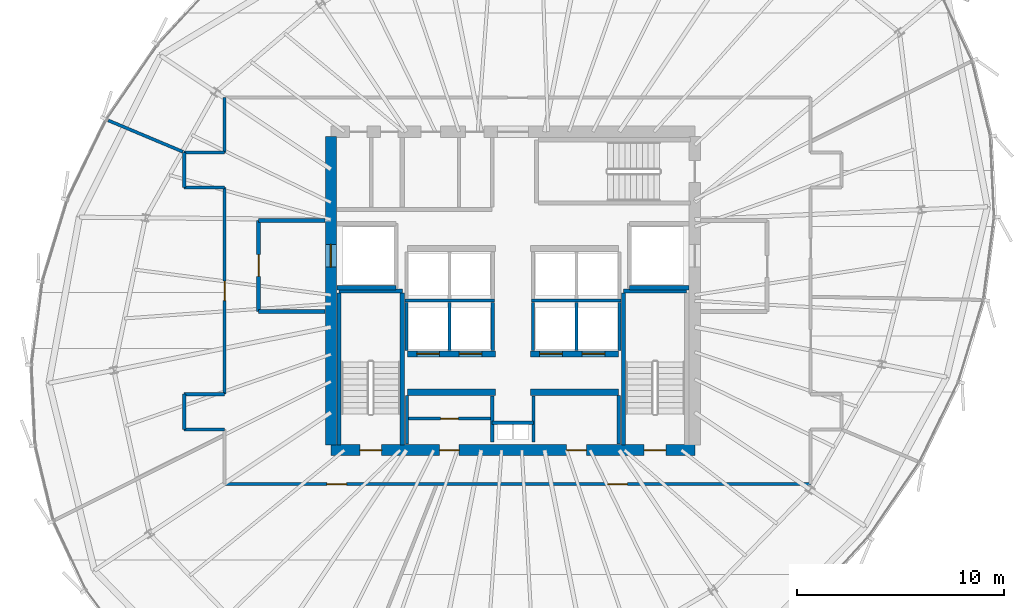
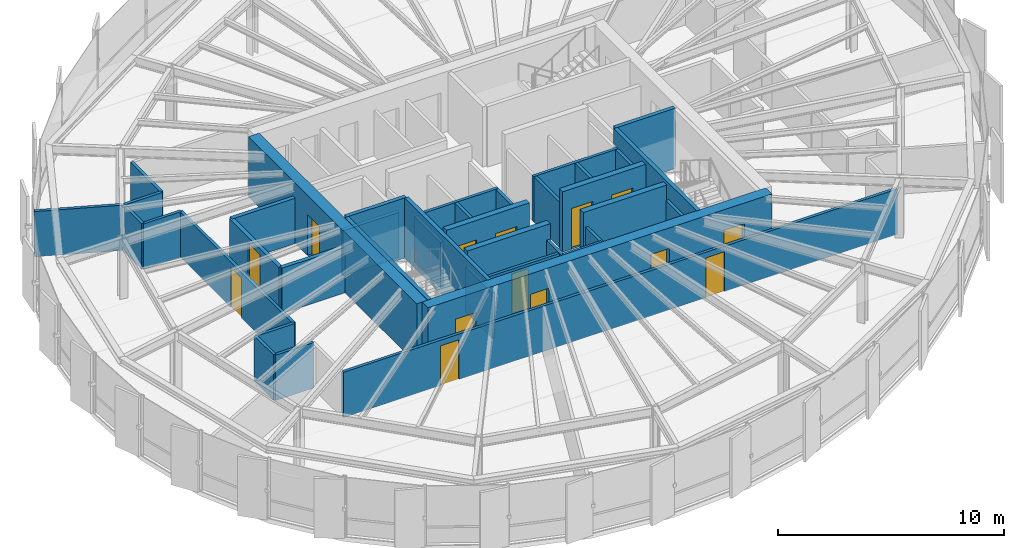
# One storey, part 29 of 34: 40 walls, 14 doors, 14 openings.
"""IFC4 building model written with IfcOpenShell, lengths in metres."""

from ifc_helpers import new_model, si_unit, direction, frame, frame_2d, origin, place, context, subcontext, project, spatial, rectangle, extrude, source, transform, mapped, material, layer, layer_set, type_object, element, fill, save


model = new_model("IFC4")

# Units and contexts
model_context = context("Model", 3, precision=1e-05, world=origin(), true_north=direction((0.0, 1.0)))
body_context = subcontext(model_context, "Body", "Model", "MODEL_VIEW")
ifc_project = project(units=[si_unit("LENGTHUNIT", "METRE"), si_unit("AREAUNIT", "SQUARE_METRE"), si_unit("VOLUMEUNIT", "CUBIC_METRE"), si_unit("PLANEANGLEUNIT", "RADIAN"), si_unit("MASSUNIT", "GRAM", prefix="KILO"), si_unit("THERMODYNAMICTEMPERATUREUNIT", "KELVIN")], contexts=[model_context])

# Site, building, storey
site_placement = place(None, origin())
site = spatial("IfcSite", under=ifc_project, at=site_placement, CompositionType="ELEMENT")
building_placement = place(site_placement, origin())
building = spatial("IfcBuilding", under=site, at=building_placement, Name="Kethvar Cultural Tower", CompositionType="ELEMENT")
storey_placement = place(building_placement, frame((0.0, 0.0, 207.89990234375)))
storey = spatial("IfcBuildingStorey", under=building, at=storey_placement, Name="L54", CompositionType="ELEMENT", Elevation=207.89990234375)

# Wall, openings, doors
ifc_material_1 = material(Name="Concrete C60/75", Category="concrete")
ifc_layer_1 = layer(ifc_material_1, 0.550048828125, Name="Concrete C60/75", Category="concrete")
ifc_layer_set_1 = layer_set([ifc_layer_1], Name="Concrete C60/75 (550 mm)")
wall_type_1 = type_object("IfcWallType", Name="WL-CORE-550", PredefinedType="SHEAR", material=ifc_layer_set_1)
wall_1_placement = place(storey_placement, frame((38.0, 20.10009765625, 0.0), z_axis=(0.0, 0.0, 1.0), x_axis=(1.0, 0.0, 0.0)))
wall_1 = element("IfcWall", 1, at=wall_1_placement, inside=storey, type_object=wall_type_1, Name="L54 Core Shear Wall S", PredefinedType="SHEAR", context=body_context, shape_type="SweptSolid", body=[
    extrude(rectangle(XDim=17.60009765625, YDim=0.550048828125, at=frame_2d((8.800048828125, 0.0))), origin(), (0.0, 0.0, 1.0), 3.260009765625),
])
opening_1_placement = place(wall_1_placement, frame((1.39990234375, 0.0, 0.0)))
opening_1 = element("IfcOpeningElement", 2, at=opening_1_placement, cuts=wall_1, Name="Opening D-L54-S1", PredefinedType="OPENING", context=body_context, shape_type="SweptSolid", body=[
    extrude(rectangle(XDim=1.050048828125, YDim=2.14990234375, at=frame_2d((0.52490234375, 1.074951171875))), frame((0.0, 0.284912109375, 0.0), z_axis=(0.0, -1.0, 0.0), x_axis=(1.0, 0.0, 0.0)), (0.0, 0.0, 1.0), 0.570068359375),
])
opening_2_placement = place(wall_1_placement, frame((15.14990234375, 0.0, 0.0)))
opening_2 = element("IfcOpeningElement", 3, at=opening_2_placement, cuts=wall_1, Name="Opening D-L54-ST2", PredefinedType="OPENING", context=body_context, shape_type="SweptSolid", body=[
    extrude(rectangle(XDim=1.050048828125, YDim=2.14990234375, at=frame_2d((0.52490234375, 1.074951171875))), frame((0.0, 0.284912109375, 0.0), z_axis=(0.0, -1.0, 0.0), x_axis=(1.0, 0.0, 0.0)), (0.0, 0.0, 1.0), 0.570068359375),
])
opening_3_placement = place(wall_1_placement, frame((5.25, 0.0, 0.0)))
opening_3 = element("IfcOpeningElement", 4, at=opening_3_placement, cuts=wall_1, Name="Opening D-L54-V1", PredefinedType="OPENING", context=body_context, shape_type="SweptSolid", body=[
    extrude(rectangle(XDim=0.949951171875, YDim=2.14990234375, at=frame_2d((0.47509765625, 1.074951171875))), frame((0.0, 0.284912109375, 0.0), z_axis=(0.0, -1.0, 0.0), x_axis=(1.0, 0.0, 0.0)), (0.0, 0.0, 1.0), 0.570068359375),
])
opening_4_placement = place(wall_1_placement, frame((11.39990234375, 0.0, 0.0)))
opening_4 = element("IfcOpeningElement", 5, at=opening_4_placement, cuts=wall_1, Name="Opening D-L54-V2", PredefinedType="OPENING", context=body_context, shape_type="SweptSolid", body=[
    extrude(rectangle(XDim=0.949951171875, YDim=2.14990234375, at=frame_2d((0.47509765625, 1.074951171875))), frame((0.0, 0.284912109375, 0.0), z_axis=(0.0, -1.0, 0.0), x_axis=(1.0, 0.0, 0.0)), (0.0, 0.0, 1.0), 0.570068359375),
])
ifc_material_2 = material(Name="Steel S355J2", Category="steel")
door_type_1 = type_object("IfcDoorType", Name="DR-FD60-1050", OperationType="NOTDEFINED", PredefinedType="DOOR", material=ifc_material_2)
shared_shape_1 = source(origin(), body_context, "Body", "SweptSolid", [
    extrude(rectangle(XDim=1.050048828125, YDim=2.14990234375, at=frame_2d((0.52490234375, 1.074951171875))), frame((0.0, 0.02490234375, 0.0), z_axis=(0.0, -1.0, 0.0), x_axis=(1.0, 0.0, 0.0)), (0.0, 0.0, 1.0), 0.050048828125),
])
door_1_placement = place(opening_1_placement, origin())
door_1 = element("IfcDoor", 6, at=door_1_placement, inside=storey, type_object=door_type_1, Name="L54 Exit Stair 1 Door", OperationType="SINGLE_SWING_LEFT", OverallHeight=2.14990234375, OverallWidth=1.050048828125, PredefinedType="DOOR", context=body_context, shape_type="MappedRepresentation", body=[
    mapped(shared_shape_1, transform((0.0, 0.0, 0.0), scale=1.0)),
])
fill(opening_1, door_1)
door_2_placement = place(opening_2_placement, origin())
door_2 = element("IfcDoor", 7, at=door_2_placement, inside=storey, type_object=door_type_1, Name="L54 Exit Stair 2 Door", OperationType="SINGLE_SWING_RIGHT", OverallHeight=2.14990234375, OverallWidth=1.050048828125, PredefinedType="DOOR", context=body_context, shape_type="MappedRepresentation", body=[
    mapped(shared_shape_1, transform((0.0, 0.0, 0.0), scale=1.0)),
])
fill(opening_2, door_2)
ifc_material_3 = material(Name="Architectural Oak Timber", Category="wood")
door_type_2 = type_object("IfcDoorType", Name="DR-FD30-950", OperationType="NOTDEFINED", PredefinedType="DOOR", material=ifc_material_3)
shared_shape_2 = source(origin(), body_context, "Body", "SweptSolid", [
    extrude(rectangle(XDim=0.949951171875, YDim=2.14990234375, at=frame_2d((0.47509765625, 1.074951171875))), frame((0.0, 0.02490234375, 0.0), z_axis=(0.0, -1.0, 0.0), x_axis=(1.0, 0.0, 0.0)), (0.0, 0.0, 1.0), 0.050048828125),
])
door_3_placement = place(opening_3_placement, origin())
door_3 = element("IfcDoor", 8, at=door_3_placement, inside=storey, type_object=door_type_2, Name="L54 Reclaimed West South Door", OperationType="SINGLE_SWING_LEFT", OverallHeight=2.14990234375, OverallWidth=0.949951171875, PredefinedType="DOOR", context=body_context, shape_type="MappedRepresentation", body=[
    mapped(shared_shape_2, transform((0.0, 0.0, 0.0), scale=1.0)),
])
fill(opening_3, door_3)
door_4_placement = place(opening_4_placement, origin())
door_4 = element("IfcDoor", 9, at=door_4_placement, inside=storey, type_object=door_type_2, Name="L54 Reclaimed East Server Door", OperationType="SINGLE_SWING_RIGHT", OverallHeight=2.14990234375, OverallWidth=0.949951171875, PredefinedType="DOOR", context=body_context, shape_type="MappedRepresentation", body=[
    mapped(shared_shape_2, transform((0.0, 0.0, 0.0), scale=1.0)),
])
fill(opening_4, door_4)

# Wall, opening, door
wall_2_placement = place(storey_placement, frame((38.0, 35.260009765625, 0.0), z_axis=(0.0, 0.0, 1.0), x_axis=(0.0, -1.0, 0.0)))
wall_2 = element("IfcWall", 10, at=wall_2_placement, inside=storey, type_object=wall_type_1, Name="L54 Core Shear Wall W", PredefinedType="SHEAR", context=body_context, shape_type="SweptSolid", body=[
    extrude(rectangle(XDim=14.919921875, YDim=0.550048828125, at=frame_2d((7.4599609375, 0.0))), origin(), (0.0, 0.0, 1.0), 3.260009765625),
])
opening_5_placement = place(wall_2_placement, frame((5.2099609375, 0.0, 0.0)))
opening_5 = element("IfcOpeningElement", 11, at=opening_5_placement, cuts=wall_2, Name="Opening LD-1", PredefinedType="OPENING", context=body_context, shape_type="SweptSolid", body=[
    extrude(rectangle(XDim=1.10009765625, YDim=2.199951171875, at=frame_2d((0.550048828125, 1.10009765625))), frame((0.0, 0.284912109375, 0.0), z_axis=(0.0, -1.0, 0.0), x_axis=(1.0, 0.0, 0.0)), (0.0, 0.0, 1.0), 0.570068359375),
])
door_type_3 = type_object("IfcDoorType", Name="DR-LIFT-SLIDE-1100", OperationType="NOTDEFINED", PredefinedType="DOOR", material=ifc_material_2)
shared_shape_3 = source(origin(), body_context, "Body", "SweptSolid", [
    extrude(rectangle(XDim=1.10009765625, YDim=2.199951171875, at=frame_2d((0.550048828125, 1.10009765625))), frame((0.0, 0.02490234375, 0.0), z_axis=(0.0, -1.0, 0.0), x_axis=(1.0, 0.0, 0.0)), (0.0, 0.0, 1.0), 0.050048828125),
])
door_5_placement = place(opening_5_placement, origin())
door_5 = element("IfcDoor", 12, at=door_5_placement, inside=storey, type_object=door_type_3, Name="L54 Firefighting Lift Landing Door FFL-01", OperationType="SLIDING_TO_LEFT", OverallHeight=2.199951171875, OverallWidth=1.10009765625, PredefinedType="DOOR", context=body_context, shape_type="MappedRepresentation", body=[
    mapped(shared_shape_3, transform((0.0, 0.0, 0.0), scale=1.0)),
])
fill(opening_5, door_5)

# Walls
ifc_material_4 = material(Name="Gypsum Fireboard Partition")
ifc_layer_2 = layer(ifc_material_4, 0.14990234375, Name="Gypsum Fireboard Partition")
ifc_layer_set_2 = layer_set([ifc_layer_2], Name="Gypsum Fireboard Partition (150 mm)")
wall_type_2 = type_object("IfcWallType", Name="WL-FIRE-150", PredefinedType="PARTITIONING", material=ifc_layer_set_2)
wall_3_placement = place(storey_placement, frame((45.800048828125, 21.419921875, 0.0), z_axis=(0.0, 0.0, 1.0), x_axis=(1.0, 0.0, 0.0)))
element("IfcWall", 13, at=wall_3_placement, inside=storey, type_object=wall_type_2, Name="L54 Core Riser Wall", PredefinedType="PARTITIONING", context=body_context, shape_type="SweptSolid", body=[
    extrude(rectangle(XDim=2.0, YDim=0.14990234375, at=frame_2d((1.0, 0.0))), origin(), (0.0, 0.0, 1.0), 2.455078125),
])
for number, where, z_axis, x_axis, name in (
    (14, (45.800048828125, 20.47998046875, 0.0), (0.0, 0.0, 1.0), (0.0, 1.0, 0.0), "L54 Core Riser West Wall"),
    (15, (47.800048828125, 20.47998046875, 0.0), (0.0, 0.0, 1.0), (0.0, 1.0, 0.0), "L54 Core Riser East Wall"),
):
    element("IfcWall", number, at=place(storey_placement, frame(where, z_axis=z_axis, x_axis=x_axis)), inside=storey, type_object=wall_type_2, Name=name, PredefinedType="PARTITIONING", context=body_context, shape_type="SweptSolid", body=[
        extrude(rectangle(XDim=2.239990234375, YDim=0.14990234375, at=frame_2d((1.1201171875, 0.0))), origin(), (0.0, 0.0, 1.0), 2.455078125),
    ])
for number, where, z_axis, x_axis, name in (
    (16, (41.679931640625, 20.385009765625, 0.0), (0.0, 0.0, 1.0), (0.0, 1.0, 0.0), "L54 Reclaimed West Outer Wall"),
    (17, (51.919921875, 20.385009765625, 0.0), (0.0, 0.0, 1.0), (0.0, 1.0, 0.0), "L54 Reclaimed East Outer Wall"),
):
    element("IfcWall", number, at=place(storey_placement, frame(where, z_axis=z_axis, x_axis=x_axis)), inside=storey, type_object=wall_type_2, Name=name, PredefinedType="PARTITIONING", context=body_context, shape_type="SweptSolid", body=[
        extrude(rectangle(XDim=2.344970703125, YDim=0.14990234375, at=frame_2d((1.17236328125, 0.0))), origin(), (0.0, 0.0, 1.0), 2.455078125),
    ])

# Wall, opening, door
wall_4_placement = place(storey_placement, frame((41.760009765625, 21.6201171875, 0.0), z_axis=(0.0, 0.0, 1.0), x_axis=(1.0, 0.0, 0.0)))
wall_4 = element("IfcWall", 18, at=wall_4_placement, inside=storey, type_object=wall_type_2, Name="L54 Vault Gallery Wall W", PredefinedType="PARTITIONING", context=body_context, shape_type="SweptSolid", body=[
    extrude(rectangle(XDim=3.9599609375, YDim=0.14990234375, at=frame_2d((1.97998046875, 0.0))), origin(), (0.0, 0.0, 1.0), 2.455078125),
])
opening_6_placement = place(wall_4_placement, frame((1.550048828125, 0.0, 0.0)))
opening_6 = element("IfcOpeningElement", 19, at=opening_6_placement, cuts=wall_4, Name="Opening D-L54-V3", PredefinedType="OPENING", context=body_context, shape_type="SweptSolid", body=[
    extrude(rectangle(XDim=0.85009765625, YDim=2.14990234375, at=frame_2d((0.425048828125, 1.074951171875))), frame((0.0, 0.0849609375, 0.0), z_axis=(0.0, -1.0, 0.0), x_axis=(1.0, 0.0, 0.0)), (0.0, 0.0, 1.0), 0.169921875),
])
door_type_4 = type_object("IfcDoorType", Name="DR-FD30-850", OperationType="NOTDEFINED", PredefinedType="DOOR", material=ifc_material_2)
shared_shape_4 = source(origin(), body_context, "Body", "SweptSolid", [
    extrude(rectangle(XDim=0.85009765625, YDim=2.14990234375, at=frame_2d((0.425048828125, 1.074951171875))), frame((0.0, 0.02490234375, 0.0), z_axis=(0.0, -1.0, 0.0), x_axis=(1.0, 0.0, 0.0)), (0.0, 0.0, 1.0), 0.050048828125),
])
door_6_placement = place(opening_6_placement, origin())
door_6 = element("IfcDoor", 20, at=door_6_placement, inside=storey, type_object=door_type_4, Name="L54 Inner Vault Gallery Door", OperationType="SINGLE_SWING_LEFT", OverallHeight=2.14990234375, OverallWidth=0.85009765625, PredefinedType="DOOR", context=body_context, shape_type="MappedRepresentation", body=[
    mapped(shared_shape_4, transform((0.0, 0.0, 0.0), scale=1.0)),
])
fill(opening_6, door_6)

# Walls
wall_5_placement = place(storey_placement, frame((41.580078125, 27.324951171875, 0.0), z_axis=(0.0, 0.0, 1.0), x_axis=(1.0, 0.0, 0.0)))
element("IfcWall", 21, at=wall_5_placement, inside=storey, type_object=wall_type_2, Name="L54 Mid-High Lift Shaft Back Wall W", PredefinedType="PARTITIONING", context=body_context, shape_type="SweptSolid", body=[
    extrude(rectangle(XDim=4.31982421875, YDim=0.14990234375, at=frame_2d((2.159912109375, 0.0))), origin(), (0.0, 0.0, 1.0), 2.455078125),
])
wall_6_placement = place(storey_placement, frame((47.699951171875, 27.324951171875, 0.0), z_axis=(0.0, 0.0, 1.0), x_axis=(1.0, 0.0, 0.0)))
element("IfcWall", 22, at=wall_6_placement, inside=storey, type_object=wall_type_2, Name="L54 Mid-High Lift Shaft Back Wall E", PredefinedType="PARTITIONING", context=body_context, shape_type="SweptSolid", body=[
    extrude(rectangle(XDim=4.320068359375, YDim=0.14990234375, at=frame_2d((2.16015625, 0.0))), origin(), (0.0, 0.0, 1.0), 2.455078125),
])
for number, where, z_axis, x_axis, name in (
    (23, (41.64990234375, 24.919921875, 0.0), (0.0, 0.0, 1.0), (0.0, 1.0, 0.0), "L54 Mid-Rise Lift Shaft Outer Wall W"),
    (24, (43.72509765625, 24.919921875, 0.0), (0.0, 0.0, 1.0), (0.0, 1.0, 0.0), "L54 Mid-Rise Lift Shaft Divider W"),
    (25, (45.824951171875, 24.919921875, 0.0), (0.0, 0.0, 1.0), (0.0, 1.0, 0.0), "L54 Mid-Rise Lift Shaft Concourse Wall W"),
    (26, (47.77490234375, 24.919921875, 0.0), (0.0, 0.0, 1.0), (0.0, 1.0, 0.0), "L54 Mid-Rise Lift Shaft Concourse Wall E"),
    (27, (49.875, 24.919921875, 0.0), (0.0, 0.0, 1.0), (0.0, 1.0, 0.0), "L54 Mid-Rise Lift Shaft Divider E"),
    (28, (51.949951171875, 24.919921875, 0.0), (0.0, 0.0, 1.0), (0.0, 1.0, 0.0), "L54 Mid-Rise Lift Shaft Outer Wall E"),
):
    element("IfcWall", number, at=place(storey_placement, frame(where, z_axis=z_axis, x_axis=x_axis)), inside=storey, type_object=wall_type_2, Name=name, PredefinedType="PARTITIONING", context=body_context, shape_type="SweptSolid", body=[
        extrude(rectangle(XDim=2.320068359375, YDim=0.14990234375, at=frame_2d((1.16015625, 0.0))), origin(), (0.0, 0.0, 1.0), 2.455078125),
    ])

# Wall, openings, doors
wall_7_placement = place(storey_placement, frame((32.85009765625, 18.449951171875, 0.0), z_axis=(0.0, 0.0, 1.0), x_axis=(1.0, 0.0, 0.0)))
wall_7 = element("IfcWall", 29, at=wall_7_placement, inside=storey, type_object=wall_type_2, Name="L54 Corridor Rated Wall S", PredefinedType="PARTITIONING", context=body_context, shape_type="SweptSolid", body=[
    extrude(rectangle(XDim=28.349853515625, YDim=0.14990234375, at=frame_2d((14.1748046875, 0.0))), origin(), (0.0, 0.0, 1.0), 2.455078125),
])
opening_7_placement = place(wall_7_placement, frame((4.950927734375, 0.0, 0.0)))
opening_7 = element("IfcOpeningElement", 30, at=opening_7_placement, cuts=wall_7, Name="Opening D-L54-01", PredefinedType="OPENING", context=body_context, shape_type="SweptSolid", body=[
    extrude(rectangle(XDim=0.949951171875, YDim=2.14990234375, at=frame_2d((0.47509765625, 1.074951171875))), frame((0.0, 0.0849609375, 0.0), z_axis=(0.0, -1.0, 0.0), x_axis=(1.0, 0.0, 0.0)), (0.0, 0.0, 1.0), 0.169921875),
])
opening_8_placement = place(wall_7_placement, frame((18.53564453125, 0.0, 0.0)))
opening_8 = element("IfcOpeningElement", 31, at=opening_8_placement, cuts=wall_7, Name="Opening D-L54-02", PredefinedType="OPENING", context=body_context, shape_type="SweptSolid", body=[
    extrude(rectangle(XDim=0.949951171875, YDim=2.14990234375, at=frame_2d((0.47509765625, 1.074951171875))), frame((0.0, 0.0849609375, 0.0), z_axis=(0.0, -1.0, 0.0), x_axis=(1.0, 0.0, 0.0)), (0.0, 0.0, 1.0), 0.169921875),
])
door_7_placement = place(opening_7_placement, origin())
door_7 = element("IfcDoor", 32, at=door_7_placement, inside=storey, type_object=door_type_2, Name="L54 Archival Facsimile Shop 01 Door", OperationType="SINGLE_SWING_LEFT", OverallHeight=2.14990234375, OverallWidth=0.949951171875, PredefinedType="DOOR", context=body_context, shape_type="MappedRepresentation", body=[
    mapped(shared_shape_2, transform((0.0, 0.0, 0.0), scale=1.0)),
])
fill(opening_7, door_7)
door_8_placement = place(opening_8_placement, origin())
door_8 = element("IfcDoor", 33, at=door_8_placement, inside=storey, type_object=door_type_2, Name="L54 Cultural Periodicals Kiosk 02 Door", OperationType="SINGLE_SWING_RIGHT", OverallHeight=2.14990234375, OverallWidth=0.949951171875, PredefinedType="DOOR", context=body_context, shape_type="MappedRepresentation", body=[
    mapped(shared_shape_2, transform((0.0, 0.0, 0.0), scale=1.0)),
])
fill(opening_8, door_8)

# Walls
wall_8_placement = place(storey_placement, frame((32.85009765625, 37.14990234375, 0.0), z_axis=(0.0, 0.0, 1.0), x_axis=(0.0, -1.0, 0.0)))
element("IfcWall", 34, at=wall_8_placement, inside=storey, type_object=wall_type_2, Name="L54 Corridor Rated Wall W2", PredefinedType="PARTITIONING", context=body_context, shape_type="SweptSolid", body=[
    extrude(rectangle(XDim=2.64990234375, YDim=0.14990234375, at=frame_2d((1.324951171875, 0.0))), origin(), (0.0, 0.0, 1.0), 2.455078125),
])
wall_9_placement = place(storey_placement, frame((32.85009765625, 34.5, 0.0), z_axis=(0.0, 0.0, 1.0), x_axis=(-1.0, 0.0, 0.0)))
element("IfcWall", 35, at=wall_9_placement, inside=storey, type_object=wall_type_2, Name="L54 Corridor Rated Wall WNT", PredefinedType="PARTITIONING", context=body_context, shape_type="SweptSolid", body=[
    extrude(rectangle(XDim=1.9501953125, YDim=0.14990234375, at=frame_2d((0.97509765625, 0.0))), origin(), (0.0, 0.0, 1.0), 2.455078125),
])
wall_10_placement = place(storey_placement, frame((30.89990234375, 34.5, 0.0), z_axis=(0.0, 0.0, 1.0), x_axis=(0.0, -1.0, 0.0)))
element("IfcWall", 36, at=wall_10_placement, inside=storey, type_object=wall_type_2, Name="L54 Corridor Rated Wall WN", PredefinedType="PARTITIONING", context=body_context, shape_type="SweptSolid", body=[
    extrude(rectangle(XDim=1.699951171875, YDim=0.14990234375, at=frame_2d((0.85009765625, 0.0))), origin(), (0.0, 0.0, 1.0), 2.455078125),
])
wall_11_placement = place(storey_placement, frame((30.89990234375, 32.800048828125, 0.0), z_axis=(0.0, 0.0, 1.0), x_axis=(1.0, 0.0, 0.0)))
element("IfcWall", 37, at=wall_11_placement, inside=storey, type_object=wall_type_2, Name="L54 Corridor Rated Wall WNB", PredefinedType="PARTITIONING", context=body_context, shape_type="SweptSolid", body=[
    extrude(rectangle(XDim=1.9501953125, YDim=0.14990234375, at=frame_2d((0.97509765625, 0.0))), origin(), (0.0, 0.0, 1.0), 2.455078125),
])

# Wall, opening, door
wall_12_placement = place(storey_placement, frame((32.85009765625, 32.800048828125, 0.0), z_axis=(0.0, 0.0, 1.0), x_axis=(0.0, -1.0, 0.0)))
wall_12 = element("IfcWall", 38, at=wall_12_placement, inside=storey, type_object=wall_type_2, Name="L54 Corridor Rated Wall WM", PredefinedType="PARTITIONING", context=body_context, shape_type="SweptSolid", body=[
    extrude(rectangle(XDim=10.0, YDim=0.14990234375, at=frame_2d((5.0, 0.0))), origin(), (0.0, 0.0, 1.0), 2.455078125),
])
opening_9_placement = place(wall_12_placement, frame((4.52490234375, 0.0, 0.0)))
opening_9 = element("IfcOpeningElement", 39, at=opening_9_placement, cuts=wall_12, Name="Opening D-L54-06", PredefinedType="OPENING", context=body_context, shape_type="SweptSolid", body=[
    extrude(rectangle(XDim=0.949951171875, YDim=2.14990234375, at=frame_2d((0.47509765625, 1.074951171875))), frame((0.0, 0.0849609375, 0.0), z_axis=(0.0, -1.0, 0.0), x_axis=(1.0, 0.0, 0.0)), (0.0, 0.0, 1.0), 0.169921875),
])
door_9_placement = place(opening_9_placement, origin())
door_9 = element("IfcDoor", 40, at=door_9_placement, inside=storey, type_object=door_type_2, Name="L54 Records Closet 06 Door", OperationType="SINGLE_SWING_RIGHT", OverallHeight=2.14990234375, OverallWidth=0.949951171875, PredefinedType="DOOR", context=body_context, shape_type="MappedRepresentation", body=[
    mapped(shared_shape_2, transform((0.0, 0.0, 0.0), scale=1.0)),
])
fill(opening_9, door_9)

# Walls
wall_13_placement = place(storey_placement, frame((32.85009765625, 22.800048828125, 0.0), z_axis=(0.0, 0.0, 1.0), x_axis=(-1.0, 0.0, 0.0)))
element("IfcWall", 41, at=wall_13_placement, inside=storey, type_object=wall_type_2, Name="L54 Corridor Rated Wall WST", PredefinedType="PARTITIONING", context=body_context, shape_type="SweptSolid", body=[
    extrude(rectangle(XDim=1.9501953125, YDim=0.14990234375, at=frame_2d((0.97509765625, 0.0))), origin(), (0.0, 0.0, 1.0), 2.455078125),
])
wall_14_placement = place(storey_placement, frame((30.89990234375, 22.800048828125, 0.0), z_axis=(0.0, 0.0, 1.0), x_axis=(0.0, -1.0, 0.0)))
element("IfcWall", 42, at=wall_14_placement, inside=storey, type_object=wall_type_2, Name="L54 Corridor Rated Wall WS", PredefinedType="PARTITIONING", context=body_context, shape_type="SweptSolid", body=[
    extrude(rectangle(XDim=1.699951171875, YDim=0.14990234375, at=frame_2d((0.85009765625, 0.0))), origin(), (0.0, 0.0, 1.0), 2.455078125),
])
wall_15_placement = place(storey_placement, frame((30.89990234375, 21.10009765625, 0.0), z_axis=(0.0, 0.0, 1.0), x_axis=(1.0, 0.0, 0.0)))
element("IfcWall", 43, at=wall_15_placement, inside=storey, type_object=wall_type_2, Name="L54 Corridor Rated Wall WSB", PredefinedType="PARTITIONING", context=body_context, shape_type="SweptSolid", body=[
    extrude(rectangle(XDim=1.9501953125, YDim=0.14990234375, at=frame_2d((0.97509765625, 0.0))), origin(), (0.0, 0.0, 1.0), 2.455078125),
])
ifc_material_5 = material(Name="Concrete C40/50", Category="concrete")
ifc_layer_3 = layer(ifc_material_5, 0.199951171875, Name="Concrete C40/50", Category="concrete")
ifc_layer_set_3 = layer_set([ifc_layer_3], Name="Concrete C40/50 (200 mm)")
wall_type_3 = type_object("IfcWallType", Name="WL-FIRE-200", PredefinedType="PARTITIONING", material=ifc_layer_set_3)
wall_16_placement = place(storey_placement, frame((38.284912109375, 27.949951171875, 0.0), z_axis=(0.0, 0.0, 1.0), x_axis=(1.0, 0.0, 0.0)))
element("IfcWall", 44, at=wall_16_placement, inside=storey, type_object=wall_type_3, Name="L54 FFL-01 Shaft South Wall", PredefinedType="PARTITIONING", context=body_context, shape_type="SweptSolid", body=[
    extrude(rectangle(XDim=2.864990234375, YDim=0.199951171875, at=frame_2d((1.4326171875, 0.0))), origin(), (0.0, 0.0, 1.0), 2.455078125),
])

# Wall, opening, door
wall_17_placement = place(storey_placement, frame((34.5, 31.199951171875, 0.0), z_axis=(0.0, 0.0, 1.0), x_axis=(0.0, -1.0, 0.0)))
wall_17 = element("IfcWall", 45, at=wall_17_placement, inside=storey, type_object=wall_type_3, Name="L54 Firefighting Lobby 1 Wall", PredefinedType="PARTITIONING", context=body_context, shape_type="SweptSolid", body=[
    extrude(rectangle(XDim=4.39990234375, YDim=0.199951171875, at=frame_2d((2.199951171875, 0.0))), origin(), (0.0, 0.0, 1.0), 2.455078125),
])
opening_10_placement = place(wall_17_placement, frame((1.64990234375, 0.0, 0.0)))
opening_10 = element("IfcOpeningElement", 46, at=opening_10_placement, cuts=wall_17, Name="Opening D-L54-F1", PredefinedType="OPENING", context=body_context, shape_type="SweptSolid", body=[
    extrude(rectangle(XDim=1.050048828125, YDim=2.14990234375, at=frame_2d((0.52490234375, 1.074951171875))), frame((0.0, 0.10986328125, 0.0), z_axis=(0.0, -1.0, 0.0), x_axis=(1.0, 0.0, 0.0)), (0.0, 0.0, 1.0), 0.219970703125),
])
door_10_placement = place(opening_10_placement, origin())
door_10 = element("IfcDoor", 47, at=door_10_placement, inside=storey, type_object=door_type_1, Name="L54 Firefighting Lobby 1 Fire Door", OperationType="SINGLE_SWING_LEFT", OverallHeight=2.14990234375, OverallWidth=1.050048828125, PredefinedType="DOOR", context=body_context, shape_type="MappedRepresentation", body=[
    mapped(shared_shape_1, transform((0.0, 0.0, 0.0), scale=1.0)),
])
fill(opening_10, door_10)

# Walls
for number, where, z_axis, x_axis, name in (
    (48, (34.5, 26.800048828125, 0.0), (0.0, 0.0, 1.0), (1.0, 0.0, 0.0), "L54 FF Lobby 1 South Wall"),
    (49, (34.5, 31.199951171875, 0.0), (0.0, 0.0, 1.0), (1.0, 0.0, 0.0), "L54 FF Lobby 1 North Wall"),
):
    element("IfcWall", number, at=place(storey_placement, frame(where, z_axis=z_axis, x_axis=x_axis)), inside=storey, type_object=wall_type_3, Name=name, PredefinedType="PARTITIONING", context=body_context, shape_type="SweptSolid", body=[
        extrude(rectangle(XDim=3.215087890625, YDim=0.199951171875, at=frame_2d((1.607421875, 0.0))), origin(), (0.0, 0.0, 1.0), 2.455078125),
    ])
wall_18_placement = place(storey_placement, frame((52.449951171875, 27.949951171875, 0.0), z_axis=(0.0, 0.0, 1.0), x_axis=(1.0, 0.0, 0.0)))
element("IfcWall", 50, at=wall_18_placement, inside=storey, type_object=wall_type_3, Name="L54 FFL-02 Shaft South Wall", PredefinedType="PARTITIONING", context=body_context, shape_type="SweptSolid", body=[
    extrude(rectangle(XDim=2.864990234375, YDim=0.199951171875, at=frame_2d((1.4326171875, 0.0))), origin(), (0.0, 0.0, 1.0), 2.455078125),
])
ifc_material_6 = material(Name="Gypsum Acoustic Partition")
ifc_layer_4 = layer(ifc_material_6, 0.14990234375, Name="Gypsum Acoustic Partition")
ifc_layer_set_4 = layer_set([ifc_layer_4], Name="Gypsum Acoustic Partition (150 mm)")
wall_type_4 = type_object("IfcWallType", Name="WL-PART-150", PredefinedType="PARTITIONING", material=ifc_layer_set_4)
wall_19_placement = place(storey_placement, frame((30.833740234375, 34.531005859375, 0.0), z_axis=(0.0, 0.0, 1.0), x_axis=(-0.922004819601, 0.387178398976, 0.0)))
element("IfcWall", 51, at=wall_19_placement, inside=storey, type_object=wall_type_4, Name="L54 Radial Partition Wall 06", PredefinedType="PARTITIONING", context=body_context, shape_type="SweptSolid", body=[
    extrude(rectangle(XDim=3.913818359375, YDim=0.14990234375, at=frame_2d((1.95703125, 0.0))), origin(), (0.0, 0.0, 1.0), 2.455078125),
])
ifc_material_7 = material(Name="Concrete C50/60", Category="concrete")
ifc_layer_5 = layer(ifc_material_7, 0.300048828125, Name="Concrete C50/60", Category="concrete")
ifc_layer_set_5 = layer_set([ifc_layer_5], Name="Concrete C50/60 (300 mm)")
wall_type_5 = type_object("IfcWallType", Name="WL-SHAFT-300", PredefinedType="SHEAR", material=ifc_layer_set_5)
for number, where, z_axis, x_axis, name in (
    (52, (41.699951171875, 22.89990234375, 0.0), (0.0, 0.0, 1.0), (1.0, 0.0, 0.0), "L54 Core Lift Spine Wall MID1W"),
    (53, (47.64990234375, 22.89990234375, 0.0), (0.0, 0.0, 1.0), (1.0, 0.0, 0.0), "L54 Core Lift Spine Wall MID1E"),
):
    element("IfcWall", number, at=place(storey_placement, frame(where, z_axis=z_axis, x_axis=x_axis)), inside=storey, type_object=wall_type_5, Name=name, PredefinedType="SHEAR", context=body_context, shape_type="SweptSolid", body=[
        extrude(rectangle(XDim=4.25, YDim=0.300048828125, at=frame_2d((2.125, 0.0))), origin(), (0.0, 0.0, 1.0), 3.260009765625),
    ])

# Wall, openings, doors
wall_20_placement = place(storey_placement, frame((41.699951171875, 24.75, 0.0), z_axis=(0.0, 0.0, 1.0), x_axis=(1.0, 0.0, 0.0)))
wall_20 = element("IfcWall", 54, at=wall_20_placement, inside=storey, type_object=wall_type_5, Name="L54 Core Lift Spine Wall MID2W", PredefinedType="SHEAR", context=body_context, shape_type="SweptSolid", body=[
    extrude(rectangle(XDim=4.25, YDim=0.300048828125, at=frame_2d((2.125, 0.0))), origin(), (0.0, 0.0, 1.0), 3.260009765625),
])
opening_11_placement = place(wall_20_placement, frame((0.449951171875, 0.0, 0.0)))
opening_11 = element("IfcOpeningElement", 55, at=opening_11_placement, cuts=wall_20, Name="Opening LD-M1", PredefinedType="OPENING", context=body_context, shape_type="SweptSolid", body=[
    extrude(rectangle(XDim=1.10009765625, YDim=2.199951171875, at=frame_2d((0.550048828125, 1.10009765625))), frame((0.0, 0.159912109375, 0.0), z_axis=(0.0, -1.0, 0.0), x_axis=(1.0, 0.0, 0.0)), (0.0, 0.0, 1.0), 0.320068359375),
])
opening_12_placement = place(wall_20_placement, frame((2.5, 0.0, 0.0)))
opening_12 = element("IfcOpeningElement", 56, at=opening_12_placement, cuts=wall_20, Name="Opening LD-M2", PredefinedType="OPENING", context=body_context, shape_type="SweptSolid", body=[
    extrude(rectangle(XDim=1.10009765625, YDim=2.199951171875, at=frame_2d((0.550048828125, 1.10009765625))), frame((0.0, 0.159912109375, 0.0), z_axis=(0.0, -1.0, 0.0), x_axis=(1.0, 0.0, 0.0)), (0.0, 0.0, 1.0), 0.320068359375),
])
door_11_placement = place(opening_11_placement, origin())
door_11 = element("IfcDoor", 57, at=door_11_placement, inside=storey, type_object=door_type_3, Name="L54 Mid-Rise Lift Landing Door M1", OperationType="SLIDING_TO_RIGHT", OverallHeight=2.199951171875, OverallWidth=1.10009765625, PredefinedType="DOOR", context=body_context, shape_type="MappedRepresentation", body=[
    mapped(shared_shape_3, transform((0.0, 0.0, 0.0), scale=1.0)),
])
fill(opening_11, door_11)
door_12_placement = place(opening_12_placement, origin())
door_12 = element("IfcDoor", 58, at=door_12_placement, inside=storey, type_object=door_type_3, Name="L54 Mid-Rise Lift Landing Door M2", OperationType="SLIDING_TO_RIGHT", OverallHeight=2.199951171875, OverallWidth=1.10009765625, PredefinedType="DOOR", context=body_context, shape_type="MappedRepresentation", body=[
    mapped(shared_shape_3, transform((0.0, 0.0, 0.0), scale=1.0)),
])
fill(opening_12, door_12)

wall_21_placement = place(storey_placement, frame((47.64990234375, 24.75, 0.0), z_axis=(0.0, 0.0, 1.0), x_axis=(1.0, 0.0, 0.0)))
wall_21 = element("IfcWall", 59, at=wall_21_placement, inside=storey, type_object=wall_type_5, Name="L54 Core Lift Spine Wall MID2E", PredefinedType="SHEAR", context=body_context, shape_type="SweptSolid", body=[
    extrude(rectangle(XDim=4.25, YDim=0.300048828125, at=frame_2d((2.125, 0.0))), origin(), (0.0, 0.0, 1.0), 3.260009765625),
])
opening_13_placement = place(wall_21_placement, frame((0.449951171875, 0.0, 0.0)))
opening_13 = element("IfcOpeningElement", 60, at=opening_13_placement, cuts=wall_21, Name="Opening LD-M3", PredefinedType="OPENING", context=body_context, shape_type="SweptSolid", body=[
    extrude(rectangle(XDim=1.10009765625, YDim=2.199951171875, at=frame_2d((0.550048828125, 1.10009765625))), frame((0.0, 0.159912109375, 0.0), z_axis=(0.0, -1.0, 0.0), x_axis=(1.0, 0.0, 0.0)), (0.0, 0.0, 1.0), 0.320068359375),
])
opening_14_placement = place(wall_21_placement, frame((2.5, 0.0, 0.0)))
opening_14 = element("IfcOpeningElement", 61, at=opening_14_placement, cuts=wall_21, Name="Opening LD-M4", PredefinedType="OPENING", context=body_context, shape_type="SweptSolid", body=[
    extrude(rectangle(XDim=1.10009765625, YDim=2.199951171875, at=frame_2d((0.550048828125, 1.10009765625))), frame((0.0, 0.159912109375, 0.0), z_axis=(0.0, -1.0, 0.0), x_axis=(1.0, 0.0, 0.0)), (0.0, 0.0, 1.0), 0.320068359375),
])
door_13_placement = place(opening_13_placement, origin())
door_13 = element("IfcDoor", 62, at=door_13_placement, inside=storey, type_object=door_type_3, Name="L54 Mid-Rise Lift Landing Door M3", OperationType="SLIDING_TO_RIGHT", OverallHeight=2.199951171875, OverallWidth=1.10009765625, PredefinedType="DOOR", context=body_context, shape_type="MappedRepresentation", body=[
    mapped(shared_shape_3, transform((0.0, 0.0, 0.0), scale=1.0)),
])
fill(opening_13, door_13)
door_14_placement = place(opening_14_placement, origin())
door_14 = element("IfcDoor", 63, at=door_14_placement, inside=storey, type_object=door_type_3, Name="L54 Mid-Rise Lift Landing Door M4", OperationType="SLIDING_TO_RIGHT", OverallHeight=2.199951171875, OverallWidth=1.10009765625, PredefinedType="DOOR", context=body_context, shape_type="MappedRepresentation", body=[
    mapped(shared_shape_3, transform((0.0, 0.0, 0.0), scale=1.0)),
])
fill(opening_14, door_14)

# Walls
ifc_layer_6 = layer(ifc_material_7, 0.199951171875, Name="Concrete C50/60", Category="concrete")
ifc_layer_set_6 = layer_set([ifc_layer_6], Name="Concrete C50/60 (200 mm)")
wall_type_6 = type_object("IfcWallType", Name="WL-STSHAFT-200", PredefinedType="SHEAR", material=ifc_layer_set_6)
wall_22_placement = place(storey_placement, frame((38.389892578125, 27.800048828125, 0.0), z_axis=(0.0, 0.0, 1.0), x_axis=(1.0, 0.0, 0.0)))
element("IfcWall", 64, at=wall_22_placement, inside=storey, type_object=wall_type_6, Name="L54 ST-01 Stair Shaft Wall FAR", PredefinedType="SHEAR", context=body_context, shape_type="SweptSolid", body=[
    extrude(rectangle(XDim=3.06005859375, YDim=0.199951171875, at=frame_2d((1.530029296875, 0.0))), origin(), (0.0, 0.0, 1.0), 3.260009765625),
])
for number, where, z_axis, x_axis, name in (
    (65, (41.449951171875, 27.699951171875, 0.0), (0.0, 0.0, 1.0), (0.0, -1.0, 0.0), "L54 ST-01 Stair Shaft Wall LEFT"),
    (66, (38.389892578125, 20.35009765625, 0.0), (0.0, 0.0, 1.0), (0.0, 1.0, 0.0), "L54 ST-01 Stair Shaft Wall RIGHT"),
):
    element("IfcWall", number, at=place(storey_placement, frame(where, z_axis=z_axis, x_axis=x_axis)), inside=storey, type_object=wall_type_6, Name=name, PredefinedType="SHEAR", context=body_context, shape_type="SweptSolid", body=[
        extrude(rectangle(XDim=7.349853515625, YDim=0.199951171875, at=frame_2d((3.6748046875, 0.0))), origin(), (0.0, 0.0, 1.0), 3.260009765625),
    ])
wall_23_placement = place(storey_placement, frame((52.14990234375, 27.800048828125, 0.0), z_axis=(0.0, 0.0, 1.0), x_axis=(1.0, 0.0, 0.0)))
element("IfcWall", 67, at=wall_23_placement, inside=storey, type_object=wall_type_6, Name="L54 ST-02 Stair Shaft Wall FAR", PredefinedType="SHEAR", context=body_context, shape_type="SweptSolid", body=[
    extrude(rectangle(XDim=3.06005859375, YDim=0.199951171875, at=frame_2d((1.530029296875, 0.0))), origin(), (0.0, 0.0, 1.0), 3.260009765625),
])
wall_24_placement = place(storey_placement, frame((52.14990234375, 20.35009765625, 0.0), z_axis=(0.0, 0.0, 1.0), x_axis=(0.0, 1.0, 0.0)))
element("IfcWall", 68, at=wall_24_placement, inside=storey, type_object=wall_type_6, Name="L54 ST-02 Stair Shaft Wall RIGHT", PredefinedType="SHEAR", context=body_context, shape_type="SweptSolid", body=[
    extrude(rectangle(XDim=7.349853515625, YDim=0.199951171875, at=frame_2d((3.6748046875, 0.0))), origin(), (0.0, 0.0, 1.0), 3.260009765625),
])

save(model, "model.ifc")
